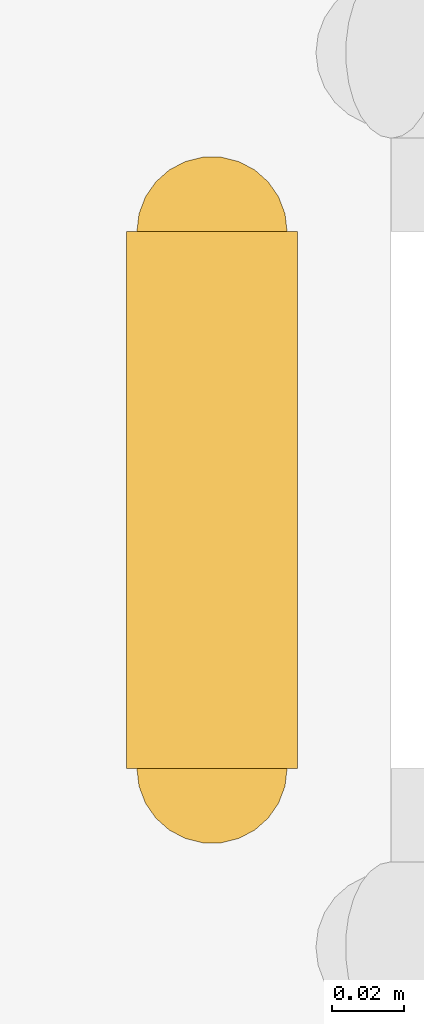
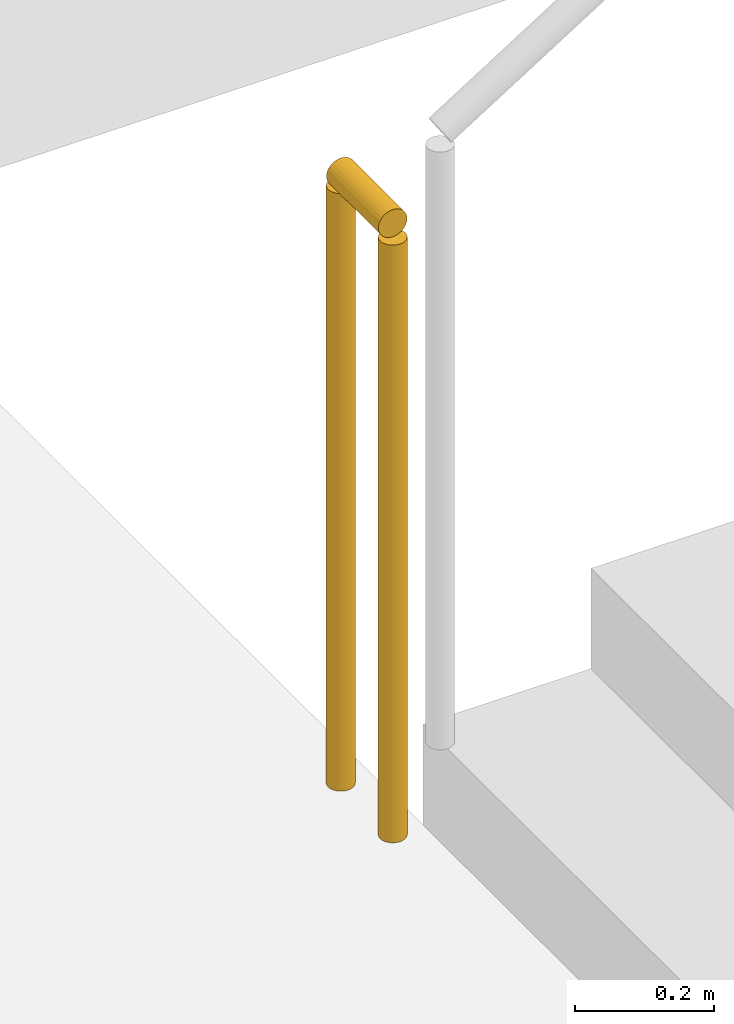
# One storey, part 131 of 146: 1 railing.
"""IFC4 building model written with IfcOpenShell, lengths in metres."""

from ifc_helpers import new_model, si_unit, direction, frame, origin, origin_2d, place, context, subcontext, project, spatial, circle, extrude, material, type_object, element, save


model = new_model("IFC4")

# Units and contexts
model_context = context("Model", 3, precision=1e-05, world=origin(), true_north=direction((0.0, 1.0)))
body_context = subcontext(model_context, "Body", "Model", "MODEL_VIEW")
ifc_project = project(units=[si_unit("LENGTHUNIT", "METRE"), si_unit("AREAUNIT", "SQUARE_METRE"), si_unit("VOLUMEUNIT", "CUBIC_METRE"), si_unit("PLANEANGLEUNIT", "RADIAN"), si_unit("MASSUNIT", "GRAM", prefix="KILO")], contexts=[model_context])

# Site, building, storey
site_placement = place(None, origin())
site = spatial("IfcSite", under=ifc_project, at=site_placement, CompositionType="ELEMENT")
building_placement = place(site_placement, origin())
building = spatial("IfcBuilding", under=site, at=building_placement, Name="Kaldris Quays Convention Centre", CompositionType="ELEMENT")
storey_placement = place(building_placement, origin())
storey = spatial("IfcBuildingStorey", under=building, at=storey_placement, Name="L00", CompositionType="ELEMENT", Elevation=0.0)

# Railing
ifc_material = material(Name="Steel S355J2", Category="steel")
railing_type = type_object("IfcRailingType", Name="INTERIOR GUARDRAIL GR01", PredefinedType="GUARDRAIL", material=ifc_material)
railing_placement = place(storey_placement, frame((49.25, 43.10009765625, 0.0)))
element("IfcRailing", 1, at=railing_placement, inside=storey, type_object=railing_type, Name="L00 ST07 Stair Guardrail 4", PredefinedType="GUARDRAIL", context=body_context, shape_type="SweptSolid", body=[
    extrude(circle(Radius=0.02392578125, at=origin_2d()), frame((0.0, 0.0, 1.076171875), z_axis=(0.0, 1.0, 0.0), x_axis=(-1.0, 0.0, 0.0)), (0.0, 0.0, 1.0), 0.14990234375),
    extrude(circle(Radius=0.02099609375, at=origin_2d()), origin(), (0.0, 0.0, 1.0), 1.052001953125),
    extrude(circle(Radius=0.02099609375, at=origin_2d()), frame((0.0, 0.14990234375, 0.0)), (0.0, 0.0, 1.0), 1.052001953125),
])

save(model, "model.ifc")
